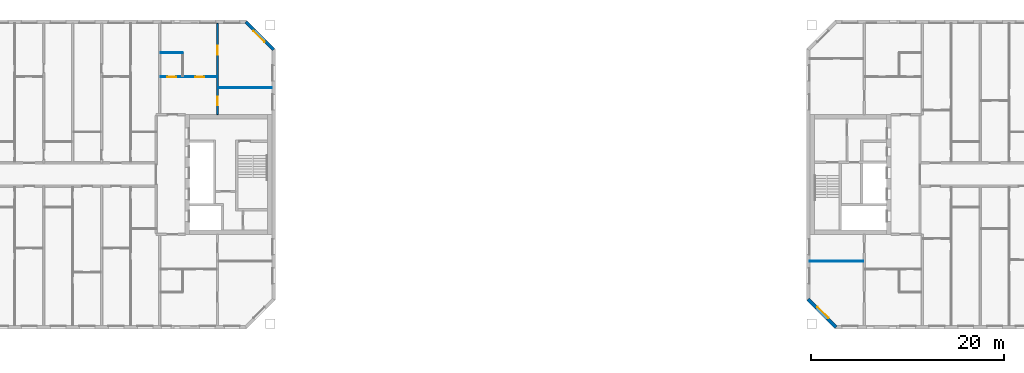
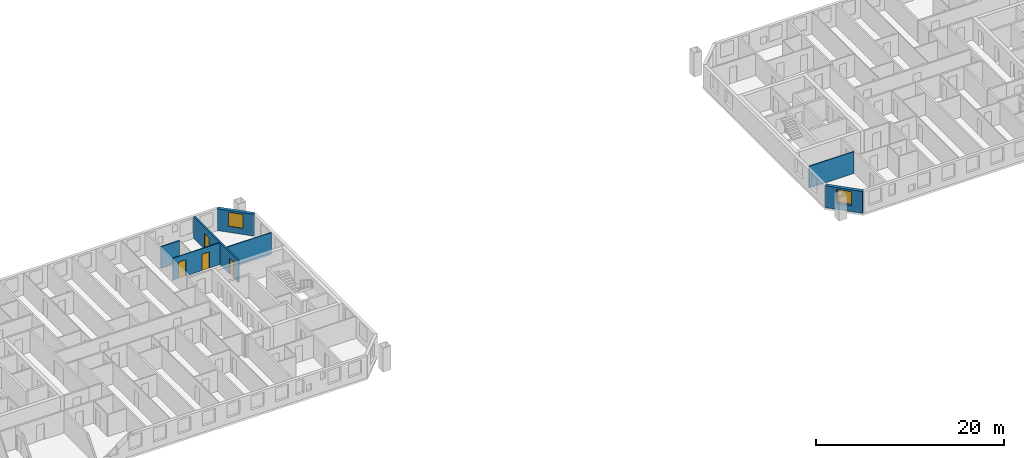
# One storey, part 8 of 16: 7 walls, 4 doors, 2 windows, 6 openings.
"""IFC4 building model written with IfcOpenShell, lengths in metres."""

from ifc_helpers import new_model, si_unit, direction, frame, frame_2d, origin, place, context, subcontext, project, spatial, rectangle, extrude, material, layer, layer_set, type_object, element, fill, save


model = new_model("IFC4")

# Units and contexts
model_context = context("Model", 3, precision=1e-05, world=origin(), true_north=direction((0.0, 1.0)))
body_context = subcontext(model_context, "Body", "Model", "MODEL_VIEW")
ifc_project = project(units=[si_unit("LENGTHUNIT", "METRE"), si_unit("AREAUNIT", "SQUARE_METRE"), si_unit("VOLUMEUNIT", "CUBIC_METRE"), si_unit("PLANEANGLEUNIT", "RADIAN"), si_unit("MASSUNIT", "GRAM", prefix="KILO")], contexts=[model_context])

# Site, building, storey
site_placement = place(None, origin())
site = spatial("IfcSite", under=ifc_project, at=site_placement, CompositionType="ELEMENT")
building_placement = place(site_placement, origin())
building = spatial("IfcBuilding", under=site, at=building_placement, Name="Tuart Gate Housing", CompositionType="ELEMENT")
storey_placement = place(building_placement, frame((0.0, 0.0, 178.89990234375)))
storey = spatial("IfcBuildingStorey", under=building, at=storey_placement, Name="L50", CompositionType="ELEMENT", Elevation=178.89990234375)

# Wall, opening, window
ifc_material_1 = material(Name="Brick", Category="masonry")
ifc_layer_1 = layer(ifc_material_1, 0.360107421875)
ifc_layer_set_1 = layer_set([ifc_layer_1], Name="Brick pier and spandrel wall 360")
wall_type_1 = type_object("IfcWallType", Name="Brick pier and spandrel wall 360", PredefinedType="STANDARD", material=ifc_layer_set_1)
wall_1_placement = place(storey_placement, frame((75.820068359375, 82.92529296875, 0.0), z_axis=(0.0, 0.0, 1.0), x_axis=(-0.707106781187, 0.707106781187, 0.0)))
wall_1 = element("IfcWall", 1, at=wall_1_placement, inside=storey, type_object=wall_type_1, Name="External wall A-NE L50", PredefinedType="STANDARD", context=body_context, shape_type="SweptSolid", body=[
    extrude(rectangle(XDim=4.09375, YDim=0.360107421875, at=frame_2d((2.046875, 0.0))), origin(), (0.0, 0.0, 1.0), 2.85009765625),
])
opening_1_placement = place(wall_1_placement, frame((1.2470703125, 0.0, 0.800048828125)))
opening_1 = element("IfcOpeningElement", 2, at=opening_1_placement, cuts=wall_1, Name="Opening W1", PredefinedType="OPENING", context=body_context, shape_type="SweptSolid", body=[
    extrude(rectangle(XDim=1.60009765625, YDim=1.800048828125, at=frame_2d((0.800048828125, 0.89990234375))), frame((0.0, 0.18994140625, 0.0), z_axis=(0.0, -1.0, 0.0), x_axis=(1.0, 0.0, 0.0)), (0.0, 0.0, 1.0), 0.380126953125),
])
ifc_material_2 = material(Name="Aluminium frame with clear glass", Category="aluminium")
window_type = type_object("IfcWindowType", Name="Punched window 1600 x 1800", PartitioningType="SINGLE_PANEL", PredefinedType="WINDOW", material=ifc_material_2)
window_1_placement = place(opening_1_placement, origin())
window_1 = element("IfcWindow", 3, at=window_1_placement, inside=storey, type_object=window_type, Name="Window W1", OverallHeight=1.800048828125, OverallWidth=1.60009765625, PartitioningType="SINGLE_PANEL", PredefinedType="WINDOW", context=body_context, shape_type="SweptSolid", body=[
    extrude(rectangle(XDim=1.60009765625, YDim=1.800048828125, at=frame_2d((0.800048828125, 0.89990234375))), frame((0.0, 0.150146484375, 0.0), z_axis=(0.0, -1.0, 0.0), x_axis=(1.0, 0.0, 0.0)), (0.0, 0.0, 1.0), 0.06005859375),
])
fill(opening_1, window_1)

wall_2_placement = place(storey_placement, frame((131.179931640625, 57.07470703125, 0.0), z_axis=(0.0, 0.0, 1.0), x_axis=(0.707106781187, -0.707106781187, 0.0)))
wall_2 = element("IfcWall", 4, at=wall_2_placement, inside=storey, type_object=wall_type_1, Name="External wall B-SW L50", PredefinedType="STANDARD", context=body_context, shape_type="SweptSolid", body=[
    extrude(rectangle(XDim=4.09375, YDim=0.360107421875, at=frame_2d((2.046875, 0.0))), origin(), (0.0, 0.0, 1.0), 2.85009765625),
])
opening_2_placement = place(wall_2_placement, frame((1.2470703125, 0.0, 0.800048828125)))
opening_2 = element("IfcOpeningElement", 5, at=opening_2_placement, cuts=wall_2, Name="Opening W1", PredefinedType="OPENING", context=body_context, shape_type="SweptSolid", body=[
    extrude(rectangle(XDim=1.60009765625, YDim=1.800048828125, at=frame_2d((0.800048828125, 0.89990234375))), frame((0.0, 0.18994140625, 0.0), z_axis=(0.0, -1.0, 0.0), x_axis=(1.0, 0.0, 0.0)), (0.0, 0.0, 1.0), 0.380126953125),
])
window_2_placement = place(opening_2_placement, origin())
window_2 = element("IfcWindow", 6, at=window_2_placement, inside=storey, type_object=window_type, Name="Window W1", OverallHeight=1.800048828125, OverallWidth=1.60009765625, PartitioningType="SINGLE_PANEL", PredefinedType="WINDOW", context=body_context, shape_type="SweptSolid", body=[
    extrude(rectangle(XDim=1.60009765625, YDim=1.800048828125, at=frame_2d((0.800048828125, 0.89990234375))), frame((0.0, 0.150146484375, 0.0), z_axis=(0.0, -1.0, 0.0), x_axis=(1.0, 0.0, 0.0)), (0.0, 0.0, 1.0), 0.06005859375),
])
fill(opening_2, window_2)

# Walls
ifc_material_3 = material(Name="Gypsum board on steel studs", Category="steel")
ifc_layer_2 = layer(ifc_material_3, 0.10009765625)
ifc_layer_set_2 = layer_set([ifc_layer_2], Name="Partition 100")
wall_type_2 = type_object("IfcWallType", Name="Partition 100", PredefinedType="PARTITIONING", material=ifc_layer_set_2)
for number, where, z_axis, x_axis, name in (
    (7, (131.360107421875, 61.0, 0.0), (0.0, 0.0, 1.0), (1.0, 0.0, 0.0), "Partition 100"),
    (8, (70.10009765625, 79.0, 0.0), (0.0, 0.0, 1.0), (1.0, 0.0, 0.0), "Partition 100"),
):
    element("IfcWall", number, at=place(storey_placement, frame(where, z_axis=z_axis, x_axis=x_axis)), inside=storey, type_object=wall_type_2, Name=name, PredefinedType="PARTITIONING", context=body_context, shape_type="SweptSolid", body=[
        extrude(rectangle(XDim=5.539794921875, YDim=0.10009765625, at=frame_2d((2.77001953125, 0.0))), origin(), (0.0, 0.0, 1.0), 2.85009765625),
    ])

# Wall, openings, doors
wall_3_placement = place(storey_placement, frame((64.10009765625, 80.10009765625, 0.0), z_axis=(0.0, 0.0, 1.0), x_axis=(1.0, 0.0, 0.0)))
wall_3 = element("IfcWall", 9, at=wall_3_placement, inside=storey, type_object=wall_type_2, Name="Partition 100", PredefinedType="PARTITIONING", context=body_context, shape_type="SweptSolid", body=[
    extrude(rectangle(XDim=5.7998046875, YDim=0.10009765625, at=frame_2d((2.89990234375, 0.0))), origin(), (0.0, 0.0, 1.0), 2.85009765625),
])
opening_3_placement = place(wall_3_placement, frame((3.60009765625, 0.0, 0.0)))
opening_3 = element("IfcOpeningElement", 10, at=opening_3_placement, cuts=wall_3, Name="Opening D1741", PredefinedType="OPENING", context=body_context, shape_type="SweptSolid", body=[
    extrude(rectangle(XDim=0.89990234375, YDim=2.10009765625, at=frame_2d((0.449951171875, 1.050048828125))), frame((0.0, 0.06005859375, 0.0), z_axis=(0.0, -1.0, 0.0), x_axis=(1.0, 0.0, 0.0)), (0.0, 0.0, 1.0), 0.1201171875),
])
opening_4_placement = place(wall_3_placement, frame((0.699951171875, 0.0, 0.0)))
opening_4 = element("IfcOpeningElement", 11, at=opening_4_placement, cuts=wall_3, Name="Opening D1740", PredefinedType="OPENING", context=body_context, shape_type="SweptSolid", body=[
    extrude(rectangle(XDim=0.89990234375, YDim=2.10009765625, at=frame_2d((0.449951171875, 1.050048828125))), frame((0.0, 0.06005859375, 0.0), z_axis=(0.0, -1.0, 0.0), x_axis=(1.0, 0.0, 0.0)), (0.0, 0.0, 1.0), 0.1201171875),
])
ifc_material_4 = material(Name="Timber door leaf in steel frame", Category="steel")
door_type_1 = type_object("IfcDoorType", Name="Bathroom door 900 RH", OperationType="SINGLE_SWING_RIGHT", PredefinedType="DOOR", material=ifc_material_4)
door_1_placement = place(opening_4_placement, origin())
door_1 = element("IfcDoor", 12, at=door_1_placement, inside=storey, type_object=door_type_1, Name="Bathroom door", OperationType="SINGLE_SWING_RIGHT", OverallHeight=2.10009765625, OverallWidth=0.89990234375, PredefinedType="DOOR", context=body_context, shape_type="SweptSolid", body=[
    extrude(rectangle(XDim=0.89990234375, YDim=2.10009765625, at=frame_2d((0.449951171875, 1.050048828125))), frame((0.0, 0.02490234375, 0.0), z_axis=(0.0, -1.0, 0.0), x_axis=(1.0, 0.0, 0.0)), (0.0, 0.0, 1.0), 0.050048828125),
])
fill(opening_4, door_1)
ifc_material_5 = material(Name="Timber door leaf in steel frame", Category="steel")
door_type_2 = type_object("IfcDoorType", Name="Internal door 900", OperationType="SINGLE_SWING_LEFT", PredefinedType="DOOR", material=ifc_material_5)
door_2_placement = place(opening_3_placement, frame((0.89990234375, 0.0, 0.0), z_axis=(0.0, 0.0, 1.0), x_axis=(-1.0, 0.0, 0.0)))
door_2 = element("IfcDoor", 13, at=door_2_placement, inside=storey, type_object=door_type_2, Name="Internal door", OperationType="SINGLE_SWING_LEFT", OverallHeight=2.10009765625, OverallWidth=0.89990234375, PredefinedType="DOOR", context=body_context, shape_type="SweptSolid", body=[
    extrude(rectangle(XDim=0.89990234375, YDim=2.10009765625, at=frame_2d((0.449951171875, 1.050048828125))), frame((0.0, 0.025146484375, 0.0), z_axis=(0.0, -1.0, 0.0), x_axis=(1.0, 0.0, 0.0)), (0.0, 0.0, 1.0), 0.050048828125),
])
fill(opening_3, door_2)

# Wall
wall_4_placement = place(storey_placement, frame((64.10009765625, 82.60009765625, 0.0), z_axis=(0.0, 0.0, 1.0), x_axis=(1.0, 0.0, 0.0)))
element("IfcWall", 14, at=wall_4_placement, inside=storey, type_object=wall_type_2, Name="Partition 100", PredefinedType="PARTITIONING", context=body_context, shape_type="SweptSolid", body=[
    extrude(rectangle(XDim=2.2998046875, YDim=0.10009765625, at=frame_2d((1.14990234375, 0.0))), origin(), (0.0, 0.0, 1.0), 2.85009765625),
])

# Wall, openings, doors
ifc_material_6 = material(Name="Concrete C40", Category="concrete")
ifc_layer_3 = layer(ifc_material_6, 0.199951171875)
ifc_layer_set_3 = layer_set([ifc_layer_3], Name="Party wall concrete C40 200")
wall_type_3 = type_object("IfcWallType", Name="Party wall concrete C40 200", PredefinedType="SOLIDWALL", material=ifc_layer_set_3)
wall_5_placement = place(storey_placement, frame((70.0, 76.199951171875, 0.0), z_axis=(0.0, 0.0, 1.0), x_axis=(0.0, 1.0, 0.0)))
wall_5 = element("IfcWall", 15, at=wall_5_placement, inside=storey, type_object=wall_type_3, Name="Party wall concrete C40 200", PredefinedType="SOLIDWALL", context=body_context, shape_type="SweptSolid", body=[
    extrude(rectangle(XDim=9.43994140625, YDim=0.199951171875, at=frame_2d((4.719970703125, 0.0))), origin(), (0.0, 0.0, 1.0), 2.85009765625),
])
opening_5_placement = place(wall_5_placement, frame((6.219970703125, 0.0, 0.0)))
opening_5 = element("IfcOpeningElement", 16, at=opening_5_placement, cuts=wall_5, Name="Opening D1735", PredefinedType="OPENING", context=body_context, shape_type="SweptSolid", body=[
    extrude(rectangle(XDim=0.89990234375, YDim=2.10009765625, at=frame_2d((0.449951171875, 1.050048828125))), frame((0.0, 0.10986328125, 0.0), z_axis=(0.0, -1.0, 0.0), x_axis=(1.0, 0.0, 0.0)), (0.0, 0.0, 1.0), 0.219970703125),
])
opening_6_placement = place(wall_5_placement, frame((0.949951171875, 0.0, 0.0)))
opening_6 = element("IfcOpeningElement", 17, at=opening_6_placement, cuts=wall_5, Name="Opening D1736", PredefinedType="OPENING", context=body_context, shape_type="SweptSolid", body=[
    extrude(rectangle(XDim=0.89990234375, YDim=2.10009765625, at=frame_2d((0.449951171875, 1.050048828125))), frame((0.0, 0.10986328125, 0.0), z_axis=(0.0, -1.0, 0.0), x_axis=(1.0, 0.0, 0.0)), (0.0, 0.0, 1.0), 0.219970703125),
])
door_3_placement = place(opening_5_placement, frame((0.89990234375, 0.0, 0.0), z_axis=(0.0, 0.0, 1.0), x_axis=(-1.0, 0.0, 0.0)))
door_3 = element("IfcDoor", 18, at=door_3_placement, inside=storey, type_object=door_type_2, Name="Internal door", OperationType="SINGLE_SWING_LEFT", OverallHeight=2.10009765625, OverallWidth=0.89990234375, PredefinedType="DOOR", context=body_context, shape_type="SweptSolid", body=[
    extrude(rectangle(XDim=0.89990234375, YDim=2.10009765625, at=frame_2d((0.449951171875, 1.050048828125))), frame((0.0, 0.025146484375, 0.0), z_axis=(0.0, -1.0, 0.0), x_axis=(1.0, 0.0, 0.0)), (0.0, 0.0, 1.0), 0.050048828125),
])
fill(opening_5, door_3)
ifc_material_7 = material(Name="Timber door leaf in steel frame", Category="steel")
door_type_3 = type_object("IfcDoorType", Name="Internal door 900 RH", OperationType="SINGLE_SWING_RIGHT", PredefinedType="DOOR", material=ifc_material_7)
door_4_placement = place(opening_6_placement, frame((0.89990234375, 0.0, 0.0), z_axis=(0.0, 0.0, 1.0), x_axis=(-1.0, 0.0, 0.0)))
door_4 = element("IfcDoor", 19, at=door_4_placement, inside=storey, type_object=door_type_3, Name="Internal door", OperationType="SINGLE_SWING_RIGHT", OverallHeight=2.10009765625, OverallWidth=0.89990234375, PredefinedType="DOOR", context=body_context, shape_type="SweptSolid", body=[
    extrude(rectangle(XDim=0.89990234375, YDim=2.10009765625, at=frame_2d((0.449951171875, 1.050048828125))), frame((0.0, 0.025146484375, 0.0), z_axis=(0.0, -1.0, 0.0), x_axis=(1.0, 0.0, 0.0)), (0.0, 0.0, 1.0), 0.050048828125),
])
fill(opening_6, door_4)

save(model, "model.ifc")
